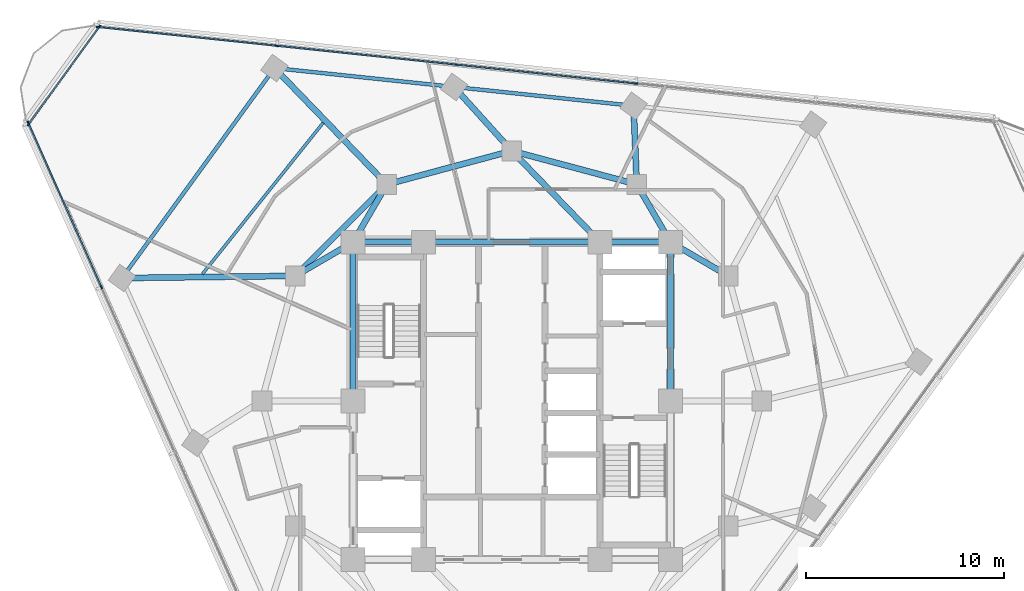
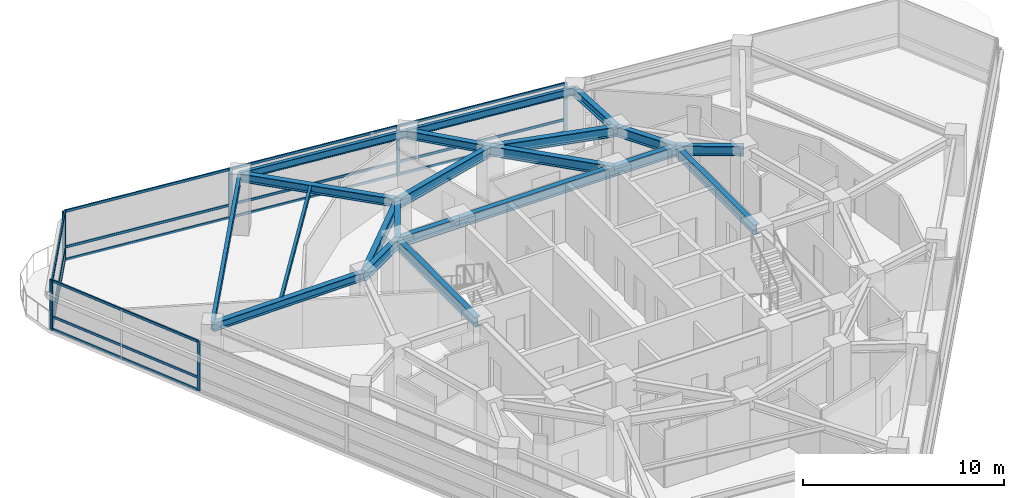
# One storey, part 5 of 15: 23 members, 21 beams, 3 elements without a shape of their own.
"""IFC4 building model written with IfcOpenShell, lengths in metres."""

from ifc_helpers import new_model, si_unit, direction, frame, origin, origin_2d, place, context, subcontext, project, spatial, rectangle, i_section, extrude, material, layer, layer_set, material_profile, profile_set, type_object, element, aggregate, save


model = new_model("IFC4")

# Units and contexts
model_context = context("Model", 3, precision=1e-05, world=origin(), true_north=direction((0.0, 1.0)))
body_context = subcontext(model_context, "Body", "Model", "MODEL_VIEW")
ifc_project = project(units=[si_unit("LENGTHUNIT", "METRE"), si_unit("AREAUNIT", "SQUARE_METRE"), si_unit("VOLUMEUNIT", "CUBIC_METRE"), si_unit("PLANEANGLEUNIT", "RADIAN"), si_unit("MASSUNIT", "GRAM", prefix="KILO")], contexts=[model_context])

# Site, building, storey
site_placement = place(None, origin())
site = spatial("IfcSite", under=ifc_project, at=site_placement, CompositionType="ELEMENT")
building_placement = place(site_placement, origin())
building = spatial("IfcBuilding", under=site, at=building_placement, Name="Terralouvre Media Tower", CompositionType="ELEMENT")
storey_placement = place(building_placement, frame((0.0, 0.0, 233.699951171875)))
storey = spatial("IfcBuildingStorey", under=building, at=storey_placement, Name="L60", CompositionType="ELEMENT", Elevation=233.699951171875)

# Beam
ifc_material_1 = material(Name="Structural steel S355J2", Category="steel")
ifc_material_profile_1 = material_profile(ifc_material_1, i_section(OverallWidth=0.14990234375, OverallDepth=0.300048828125, WebThickness=0.007080078125, FlangeThickness=0.0107421875, at=origin_2d()), Name="IPE 300")
ifc_profile_set_1 = profile_set([ifc_material_profile_1], Name="Structural steel S355J2")
beam_type_1 = type_object("IfcBeamType", Name="Composite Floor Joist J-IPE300 (IPE 300)", PredefinedType="JOIST", material=ifc_profile_set_1)
beam_1_placement = place(storey_placement, frame((-9.507568359375, 14.0205078125, 3.35009765625), z_axis=(-0.623938489158, -0.781473455561, 0.0), x_axis=(0.781473455561, -0.623938489158, 0.0)))
element("IfcBeam", 1, at=beam_1_placement, inside=storey, type_object=beam_type_1, Name="L60 Framing Beam JT-L60-05", PredefinedType="JOIST", context=body_context, shape_type="SweptSolid", body=[
    extrude(i_section(OverallWidth=0.14990234375, OverallDepth=0.300048828125, WebThickness=0.007080078125, FlangeThickness=0.0107421875, at=origin_2d()), origin(), (0.0, 0.0, 1.0), 9.763427734375),
])

# Curtain wall, members
ifc_material_2 = material(Name="Low-iron laminated double glazing with solar-control coating", Category="glass")
ifc_layer_1 = layer(ifc_material_2, 0.1650390625, Name="Upper Executive Tower Curtain Wall CW-05")
ifc_layer_set_1 = layer_set([ifc_layer_1], Name="Low-iron laminated double glazing with solar-control coating")
curtain_wall_type_1 = type_object("IfcCurtainWallType", Name="Upper Executive Tower Curtain Wall CW-05", PredefinedType="NOTDEFINED", material=ifc_layer_set_1)
curtain_wall_1_placement = place(storey_placement, origin())
curtain_wall_1 = element("IfcCurtainWall", 2, at=curtain_wall_1_placement, inside=storey, type_object=curtain_wall_type_1, Name="L60 Facade Curtain Wall F1", PredefinedType="NOTDEFINED")
ifc_material_3 = material(Name="Anodised extruded aluminium 6063-T6", Category="aluminium")
ifc_material_profile_2 = material_profile(ifc_material_3, rectangle(XDim=0.074951171875, YDim=0.14990234375, at=origin_2d()), Name="ALU 75x150")
ifc_profile_set_2 = profile_set([ifc_material_profile_2], Name="Anodised extruded aluminium 6063-T6")
member_type_1 = type_object("IfcMemberType", Name="Curtain-Wall Horizontal Transom TR-150", PredefinedType="USERDEFINED", material=ifc_profile_set_2)
member_1_placement = place(storey_placement, frame((6.21923828125, 16.002197265625, 0.03759765625), z_axis=(-0.994522041896, 0.104527069141, 0.0), x_axis=(-0.104527069141, -0.994522041896, 0.0)))
member_1 = element("IfcMember", 3, at=member_1_placement, type_object=member_type_1, Name="CW-05 transom 3.1", ObjectType="TRANSOM", PredefinedType="USERDEFINED", context=body_context, shape_type="SweptSolid", body=[
    extrude(rectangle(XDim=0.074951171875, YDim=0.14990234375, at=origin_2d()), origin(), (0.0, 0.0, 1.0), 9.025146484375),
])
member_2_placement = place(storey_placement, frame((6.21923828125, 16.002197265625, 0.800048828125), z_axis=(-0.994522041896, 0.104527069141, 0.0), x_axis=(-0.104527069141, -0.994522041896, 0.0)))
member_2 = element("IfcMember", 4, at=member_2_placement, type_object=member_type_1, Name="CW-05 transom 3.2", ObjectType="TRANSOM", PredefinedType="USERDEFINED", context=body_context, shape_type="SweptSolid", body=[
    extrude(rectangle(XDim=0.074951171875, YDim=0.14990234375, at=origin_2d()), origin(), (0.0, 0.0, 1.0), 9.025146484375),
])
member_3_placement = place(storey_placement, frame((6.21923828125, 16.002197265625, 2.962646484375), z_axis=(-0.994522041896, 0.104527069141, 0.0), x_axis=(-0.104527069141, -0.994522041896, 0.0)))
member_3 = element("IfcMember", 5, at=member_3_placement, type_object=member_type_1, Name="CW-05 transom 3.3", ObjectType="TRANSOM", PredefinedType="USERDEFINED", context=body_context, shape_type="SweptSolid", body=[
    extrude(rectangle(XDim=0.074951171875, YDim=0.14990234375, at=origin_2d()), origin(), (0.0, 0.0, 1.0), 9.025146484375),
])
member_4_placement = place(storey_placement, frame((-2.830810546875, 16.95361328125, 0.03759765625), z_axis=(-0.994522041896, 0.104527069141, 0.0), x_axis=(-0.104527069141, -0.994522041896, 0.0)))
member_4 = element("IfcMember", 6, at=member_4_placement, type_object=member_type_1, Name="CW-05 transom 4.1", ObjectType="TRANSOM", PredefinedType="USERDEFINED", context=body_context, shape_type="SweptSolid", body=[
    extrude(rectangle(XDim=0.074951171875, YDim=0.14990234375, at=origin_2d()), origin(), (0.0, 0.0, 1.0), 9.025146484375),
])
member_5_placement = place(storey_placement, frame((-2.830810546875, 16.95361328125, 0.800048828125), z_axis=(-0.994522041896, 0.104527069141, 0.0), x_axis=(-0.104527069141, -0.994522041896, 0.0)))
member_5 = element("IfcMember", 7, at=member_5_placement, type_object=member_type_1, Name="CW-05 transom 4.2", ObjectType="TRANSOM", PredefinedType="USERDEFINED", context=body_context, shape_type="SweptSolid", body=[
    extrude(rectangle(XDim=0.074951171875, YDim=0.14990234375, at=origin_2d()), origin(), (0.0, 0.0, 1.0), 9.025146484375),
])
member_6_placement = place(storey_placement, frame((-2.830810546875, 16.95361328125, 2.962646484375), z_axis=(-0.994522041896, 0.104527069141, 0.0), x_axis=(-0.104527069141, -0.994522041896, 0.0)))
member_6 = element("IfcMember", 8, at=member_6_placement, type_object=member_type_1, Name="CW-05 transom 4.3", ObjectType="TRANSOM", PredefinedType="USERDEFINED", context=body_context, shape_type="SweptSolid", body=[
    extrude(rectangle(XDim=0.074951171875, YDim=0.14990234375, at=origin_2d()), origin(), (0.0, 0.0, 1.0), 9.025146484375),
])
member_7_placement = place(storey_placement, frame((-11.881103515625, 17.90478515625, 0.03759765625), z_axis=(-0.994521813919, 0.104529238206, 0.0), x_axis=(-0.104529238206, -0.994521813919, 0.0)))
member_7 = element("IfcMember", 9, at=member_7_placement, type_object=member_type_1, Name="CW-05 transom 5.1", ObjectType="TRANSOM", PredefinedType="USERDEFINED", context=body_context, shape_type="SweptSolid", body=[
    extrude(rectangle(XDim=0.074951171875, YDim=0.14990234375, at=origin_2d()), origin(), (0.0, 0.0, 1.0), 8.987548828125),
])
member_8_placement = place(storey_placement, frame((-11.881103515625, 17.90478515625, 0.800048828125), z_axis=(-0.994521813919, 0.104529238206, 0.0), x_axis=(-0.104529238206, -0.994521813919, 0.0)))
member_8 = element("IfcMember", 10, at=member_8_placement, type_object=member_type_1, Name="CW-05 transom 5.2", ObjectType="TRANSOM", PredefinedType="USERDEFINED", context=body_context, shape_type="SweptSolid", body=[
    extrude(rectangle(XDim=0.074951171875, YDim=0.14990234375, at=origin_2d()), origin(), (0.0, 0.0, 1.0), 8.987548828125),
])
member_9_placement = place(storey_placement, frame((-11.881103515625, 17.90478515625, 2.962646484375), z_axis=(-0.994521813919, 0.104529238206, 0.0), x_axis=(-0.104529238206, -0.994521813919, 0.0)))
member_9 = element("IfcMember", 11, at=member_9_placement, type_object=member_type_1, Name="CW-05 transom 5.3", ObjectType="TRANSOM", PredefinedType="USERDEFINED", context=body_context, shape_type="SweptSolid", body=[
    extrude(rectangle(XDim=0.074951171875, YDim=0.14990234375, at=origin_2d()), origin(), (0.0, 0.0, 1.0), 8.987548828125),
])

curtain_wall_2_placement = place(storey_placement, origin())
curtain_wall_2 = element("IfcCurtainWall", 12, at=curtain_wall_2_placement, inside=storey, type_object=curtain_wall_type_1, Name="L60 Facade Curtain Wall F2", PredefinedType="NOTDEFINED")
member_10_placement = place(storey_placement, frame((-24.35546875, 13.97705078125, 0.03759765625), z_axis=(0.406758390963, -0.913535774549, 0.0), x_axis=(0.913535774549, 0.406758390963, 0.0)))
member_10 = element("IfcMember", 13, at=member_10_placement, type_object=member_type_1, Name="CW-05 transom 1.1", ObjectType="TRANSOM", PredefinedType="USERDEFINED", context=body_context, shape_type="SweptSolid", body=[
    extrude(rectangle(XDim=0.074951171875, YDim=0.14990234375, at=origin_2d()), origin(), (0.0, 0.0, 1.0), 8.987548828125),
])
member_11_placement = place(storey_placement, frame((-24.35546875, 13.97705078125, 0.800048828125), z_axis=(0.406758390963, -0.913535774549, 0.0), x_axis=(0.913535774549, 0.406758390963, 0.0)))
member_11 = element("IfcMember", 14, at=member_11_placement, type_object=member_type_1, Name="CW-05 transom 1.2", ObjectType="TRANSOM", PredefinedType="USERDEFINED", context=body_context, shape_type="SweptSolid", body=[
    extrude(rectangle(XDim=0.074951171875, YDim=0.14990234375, at=origin_2d()), origin(), (0.0, 0.0, 1.0), 8.987548828125),
])
member_12_placement = place(storey_placement, frame((-24.35546875, 13.97705078125, 2.962646484375), z_axis=(0.406758390963, -0.913535774549, 0.0), x_axis=(0.913535774549, 0.406758390963, 0.0)))
member_12 = element("IfcMember", 15, at=member_12_placement, type_object=member_type_1, Name="CW-05 transom 1.3", ObjectType="TRANSOM", PredefinedType="USERDEFINED", context=body_context, shape_type="SweptSolid", body=[
    extrude(rectangle(XDim=0.074951171875, YDim=0.14990234375, at=origin_2d()), origin(), (0.0, 0.0, 1.0), 8.987548828125),
])

ifc_material_4 = material(Name="Low-iron laminated double glazing with solar-control coating", Category="glass")
ifc_layer_2 = layer(ifc_material_4, 0.1650390625, Name="Rounded Wind-Corner Curved Glazing CW-04")
ifc_layer_set_2 = layer_set([ifc_layer_2], Name="Low-iron laminated double glazing with solar-control coating")
curtain_wall_type_2 = type_object("IfcCurtainWallType", Name="Rounded Wind-Corner Curved Glazing CW-04", PredefinedType="NOTDEFINED", material=ifc_layer_set_2)
curtain_wall_3_placement = place(storey_placement, origin())
curtain_wall_3 = element("IfcCurtainWall", 16, at=curtain_wall_3_placement, inside=storey, type_object=curtain_wall_type_2, Name="L60 Rounded Wind-Corner Curtain Wall C2", PredefinedType="NOTDEFINED")
member_13_placement = place(storey_placement, frame((-20.812255859375, 18.828369140625, 0.03759765625), z_axis=(-0.58777959511, -0.809021104528, 0.0), x_axis=(0.809021104528, -0.58777959511, 0.0)))
member_13 = element("IfcMember", 17, at=member_13_placement, type_object=member_type_1, Name="CW-04 transom 1.1", ObjectType="TRANSOM", PredefinedType="USERDEFINED", context=body_context, shape_type="SweptSolid", body=[
    extrude(rectangle(XDim=0.074951171875, YDim=0.14990234375, at=origin_2d()), origin(), (0.0, 0.0, 1.0), 5.99853515625),
])
member_14_placement = place(storey_placement, frame((-20.812255859375, 18.828369140625, 0.800048828125), z_axis=(-0.58777959511, -0.809021104528, 0.0), x_axis=(0.809021104528, -0.58777959511, 0.0)))
member_14 = element("IfcMember", 18, at=member_14_placement, type_object=member_type_1, Name="CW-04 transom 1.2", ObjectType="TRANSOM", PredefinedType="USERDEFINED", context=body_context, shape_type="SweptSolid", body=[
    extrude(rectangle(XDim=0.074951171875, YDim=0.14990234375, at=origin_2d()), origin(), (0.0, 0.0, 1.0), 5.99853515625),
])
member_15_placement = place(storey_placement, frame((-20.812255859375, 18.828369140625, 2.962646484375), z_axis=(-0.58777959511, -0.809021104528, 0.0), x_axis=(0.809021104528, -0.58777959511, 0.0)))
member_15 = element("IfcMember", 19, at=member_15_placement, type_object=member_type_1, Name="CW-04 transom 1.3", ObjectType="TRANSOM", PredefinedType="USERDEFINED", context=body_context, shape_type="SweptSolid", body=[
    extrude(rectangle(XDim=0.074951171875, YDim=0.14990234375, at=origin_2d()), origin(), (0.0, 0.0, 1.0), 5.99853515625),
])

# Member
ifc_material_5 = material(Name="Anodised extruded aluminium 6063-T6", Category="aluminium")
ifc_material_profile_3 = material_profile(ifc_material_5, rectangle(XDim=0.074951171875, YDim=0.179931640625, at=origin_2d()), Name="ALU 75x180")
ifc_profile_set_3 = profile_set([ifc_material_profile_3], Name="Anodised extruded aluminium 6063-T6")
member_type_2 = type_object("IfcMemberType", Name="Curtain-Wall Vertical Mullion ML-180", PredefinedType="MULLION", material=ifc_profile_set_3)
member_16_placement = place(storey_placement, frame((6.256591796875, 15.998291015625, 0.0), z_axis=(0.0, 0.0, 1.0), x_axis=(-0.104528561651, -0.994521885028, 0.0)))
member_16 = element("IfcMember", 20, at=member_16_placement, type_object=member_type_2, Name="CW-05 mullion 3", PredefinedType="MULLION", context=body_context, shape_type="SweptSolid", body=[
    extrude(rectangle(XDim=0.074951171875, YDim=0.179931640625, at=origin_2d()), origin(), (0.0, 0.0, 1.0), 3.0),
])

member_17_placement = place(storey_placement, frame((-2.793701171875, 16.949462890625, 0.0), z_axis=(0.0, 0.0, 1.0), x_axis=(-0.104528561651, -0.994521885028, 0.0)))
member_17 = element("IfcMember", 21, at=member_17_placement, type_object=member_type_2, Name="CW-05 mullion 4", PredefinedType="MULLION", context=body_context, shape_type="SweptSolid", body=[
    extrude(rectangle(XDim=0.074951171875, YDim=0.179931640625, at=origin_2d()), origin(), (0.0, 0.0, 1.0), 3.0),
])

member_18_placement = place(storey_placement, frame((-11.84375, 17.90087890625, 0.0), z_axis=(0.0, 0.0, 1.0), x_axis=(-0.104528561651, -0.994521885028, 0.0)))
member_18 = element("IfcMember", 22, at=member_18_placement, type_object=member_type_2, Name="CW-05 mullion 5", PredefinedType="MULLION", context=body_context, shape_type="SweptSolid", body=[
    extrude(rectangle(XDim=0.074951171875, YDim=0.179931640625, at=origin_2d()), origin(), (0.0, 0.0, 1.0), 3.0),
])

member_19_placement = place(storey_placement, frame((-20.856689453125, 18.84814453125, 0.0), z_axis=(0.0, 0.0, 1.0), x_axis=(-0.104528561651, -0.994521885028, 0.0)))
member_19 = element("IfcMember", 23, at=member_19_placement, type_object=member_type_2, Name="CW-05 mullion 6", PredefinedType="MULLION", context=body_context, shape_type="SweptSolid", body=[
    extrude(rectangle(XDim=0.074951171875, YDim=0.179931640625, at=origin_2d()), origin(), (0.0, 0.0, 1.0), 3.0),
])

aggregate(curtain_wall_1, [member_16, member_17, member_18, member_19, member_1, member_2, member_3, member_4, member_5, member_6, member_7, member_8, member_9])

member_20_placement = place(storey_placement, frame((-24.37060546875, 14.011474609375, 0.0), z_axis=(0.0, 0.0, 1.0), x_axis=(0.913545441365, 0.406736679636, 0.0)))
member_20 = element("IfcMember", 24, at=member_20_placement, type_object=member_type_2, Name="CW-05 mullion 1", PredefinedType="MULLION", context=body_context, shape_type="SweptSolid", body=[
    extrude(rectangle(XDim=0.074951171875, YDim=0.179931640625, at=origin_2d()), origin(), (0.0, 0.0, 1.0), 3.0),
])

member_21_placement = place(storey_placement, frame((-20.6845703125, 5.732421875, 0.0), z_axis=(0.0, 0.0, 1.0), x_axis=(0.913545441365, 0.406736679636, 0.0)))
member_21 = element("IfcMember", 25, at=member_21_placement, type_object=member_type_2, Name="CW-05 mullion 2", PredefinedType="MULLION", context=body_context, shape_type="SweptSolid", body=[
    extrude(rectangle(XDim=0.074951171875, YDim=0.179931640625, at=origin_2d()), origin(), (0.0, 0.0, 1.0), 3.0),
])

aggregate(curtain_wall_2, [member_20, member_21, member_10, member_11, member_12])

member_22_placement = place(storey_placement, frame((-20.7900390625, 18.858642578125, 0.0), z_axis=(0.0, 0.0, 1.0), x_axis=(0.809016531067, -0.58778588998, 0.0)))
member_22 = element("IfcMember", 26, at=member_22_placement, type_object=member_type_2, Name="CW-04 mullion 1", PredefinedType="MULLION", context=body_context, shape_type="SweptSolid", body=[
    extrude(rectangle(XDim=0.074951171875, YDim=0.179931640625, at=origin_2d()), origin(), (0.0, 0.0, 1.0), 3.0),
])

member_23_placement = place(storey_placement, frame((-24.360107421875, 13.94482421875, 0.0), z_axis=(0.0, 0.0, 1.0), x_axis=(0.809016531067, -0.58778588998, 0.0)))
member_23 = element("IfcMember", 27, at=member_23_placement, type_object=member_type_2, Name="CW-04 mullion 2", PredefinedType="MULLION", context=body_context, shape_type="SweptSolid", body=[
    extrude(rectangle(XDim=0.074951171875, YDim=0.179931640625, at=origin_2d()), origin(), (0.0, 0.0, 1.0), 3.0),
])

aggregate(curtain_wall_3, [member_22, member_23, member_13, member_14, member_15])

# Beams
ifc_material_6 = material(Name="Structural steel S355J2", Category="steel")
ifc_material_profile_4 = material_profile(ifc_material_6, i_section(OverallWidth=0.18994140625, OverallDepth=0.449951171875, WebThickness=0.009521484375, FlangeThickness=0.0146484375, at=origin_2d()), Name="IPE 450")
ifc_profile_set_4 = profile_set([ifc_material_profile_4], Name="Structural steel S355J2")
beam_type_2 = type_object("IfcBeamType", Name="Perimeter Spandrel Beam SPB-450 (IPE 450)", PredefinedType="SPANDREL", material=ifc_profile_set_4)
beam_2_placement = place(storey_placement, frame((6.138427734375, 14.87451171875, 3.275146484375), z_axis=(-0.994522199081, 0.104525573596, 0.0), x_axis=(-0.104525573596, -0.994522199081, 0.0)))
element("IfcBeam", 28, at=beam_2_placement, inside=storey, type_object=beam_type_2, Name="L60 Framing Beam BM-L60-PR09", PredefinedType="SPANDREL", context=body_context, shape_type="SweptSolid", body=[
    extrude(i_section(OverallWidth=0.18994140625, OverallDepth=0.449951171875, WebThickness=0.009521484375, FlangeThickness=0.0146484375, at=origin_2d()), origin(), (0.0, 0.0, 1.0), 9.099853515625),
])
beam_3_placement = place(storey_placement, frame((-2.91162109375, 15.82568359375, 3.275146484375), z_axis=(-0.994522492191, 0.10452278472, 0.0), x_axis=(-0.10452278472, -0.994522492191, 0.0)))
element("IfcBeam", 29, at=beam_3_placement, inside=storey, type_object=beam_type_2, Name="L60 Framing Beam BM-L60-PR10", PredefinedType="SPANDREL", context=body_context, shape_type="SweptSolid", body=[
    extrude(i_section(OverallWidth=0.18994140625, OverallDepth=0.449951171875, WebThickness=0.009521484375, FlangeThickness=0.0146484375, at=origin_2d()), origin(), (0.0, 0.0, 1.0), 9.10009765625),
])
beam_4_placement = place(storey_placement, frame((-11.9619140625, 16.77685546875, 3.275146484375), z_axis=(-0.587794396272, -0.809010350806, 0.0), x_axis=(0.809010350806, -0.587794396272, 0.0)))
element("IfcBeam", 30, at=beam_4_placement, inside=storey, type_object=beam_type_2, Name="L60 Framing Beam BM-L60-PR11", PredefinedType="SPANDREL", context=body_context, shape_type="SweptSolid", body=[
    extrude(i_section(OverallWidth=0.18994140625, OverallDepth=0.449951171875, WebThickness=0.009521484375, FlangeThickness=0.0146484375, at=origin_2d()), origin(), (0.0, 0.0, 1.0), 13.08349609375),
])
ifc_material_7 = material(Name="Structural steel S355J2", Category="steel")
ifc_material_profile_5 = material_profile(ifc_material_7, i_section(OverallWidth=0.300048828125, OverallDepth=0.5, WebThickness=0.014404296875, FlangeThickness=0.028076171875, at=origin_2d()), Name="HEB 500")
ifc_profile_set_5 = profile_set([ifc_material_profile_5], Name="Structural steel S355J2")
beam_type_3 = type_object("IfcBeamType", Name="Primary Floor Girder B-HEB500 (HEB 500)", PredefinedType="BEAM", material=ifc_profile_set_5)
beam_5_placement = place(storey_placement, frame((6.300048828125, 10.911865234375, 3.25), z_axis=(-0.040752268141, 0.999169281274, 0.0), x_axis=(-0.999169281274, -0.040752268141, 0.0)))
element("IfcBeam", 31, at=beam_5_placement, inside=storey, type_object=beam_type_3, Name="L60 Framing Beam BM-L60-RD09", PredefinedType="BEAM", context=body_context, shape_type="SweptSolid", body=[
    extrude(i_section(OverallWidth=0.300048828125, OverallDepth=0.5, WebThickness=0.014404296875, FlangeThickness=0.028076171875, at=origin_2d()), origin(), (0.0, 0.0, 1.0), 3.9658203125),
])
beam_6_placement = place(storey_placement, frame((0.0, 12.60009765625, 3.25), z_axis=(-0.670056658177, 0.742309958732, 0.0), x_axis=(-0.742309958732, -0.670056658177, 0.0)))
element("IfcBeam", 32, at=beam_6_placement, inside=storey, type_object=beam_type_3, Name="L60 Framing Beam BM-L60-RD10", PredefinedType="BEAM", context=body_context, shape_type="SweptSolid", body=[
    extrude(i_section(OverallWidth=0.300048828125, OverallDepth=0.5, WebThickness=0.014404296875, FlangeThickness=0.028076171875, at=origin_2d()), origin(), (0.0, 0.0, 1.0), 4.34521484375),
])
beam_7_placement = place(storey_placement, frame((-6.300048828125, 10.911865234375, 3.25), z_axis=(-0.694538392484, 0.719455642389, 0.0), x_axis=(-0.719455642389, -0.694538392484, 0.0)))
element("IfcBeam", 33, at=beam_7_placement, inside=storey, type_object=beam_type_3, Name="L60 Framing Beam BM-L60-RD11", PredefinedType="BEAM", context=body_context, shape_type="SweptSolid", body=[
    extrude(i_section(OverallWidth=0.300048828125, OverallDepth=0.5, WebThickness=0.014404296875, FlangeThickness=0.028076171875, at=origin_2d()), origin(), (0.0, 0.0, 1.0), 8.152099609375),
])
beam_8_placement = place(storey_placement, frame((-10.911865234375, 6.300048828125, 3.25), z_axis=(-0.999923796559, -0.012345083045, 0.0), x_axis=(0.012345083045, -0.999923796559, 0.0)))
element("IfcBeam", 34, at=beam_8_placement, inside=storey, type_object=beam_type_3, Name="L60 Framing Beam BM-L60-RD12", PredefinedType="BEAM", context=body_context, shape_type="SweptSolid", body=[
    extrude(i_section(OverallWidth=0.300048828125, OverallDepth=0.5, WebThickness=0.014404296875, FlangeThickness=0.028076171875, at=origin_2d()), origin(), (0.0, 0.0, 1.0), 8.7412109375),
])
ifc_material_8 = material(Name="Structural steel S460M", Category="steel")
ifc_material_profile_6 = material_profile(ifc_material_8, i_section(OverallWidth=0.300048828125, OverallDepth=0.60009765625, WebThickness=0.015380859375, FlangeThickness=0.030029296875, at=origin_2d()), Name="HEB 600")
ifc_profile_set_6 = profile_set([ifc_material_profile_6], Name="Structural steel S460M")
beam_type_4 = type_object("IfcBeamType", Name="Primary Floor Girder B-HEB600 (HEB 600)", PredefinedType="BEAM", material=ifc_profile_set_6)
beam_9_placement = place(storey_placement, frame((8.0, 0.0, 3.199951171875), z_axis=(0.0, 1.0, 0.0), x_axis=(-1.0, 0.0, 0.0)))
element("IfcBeam", 35, at=beam_9_placement, inside=storey, type_object=beam_type_4, Name="L60 Framing Beam BM-L60-CPR05", PredefinedType="BEAM", context=body_context, shape_type="SweptSolid", body=[
    extrude(i_section(OverallWidth=0.300048828125, OverallDepth=0.60009765625, WebThickness=0.015380859375, FlangeThickness=0.030029296875, at=origin_2d()), origin(), (0.0, 0.0, 1.0), 8.0),
])
beam_10_placement = place(storey_placement, frame((8.0, 8.0, 3.199951171875), z_axis=(-1.0, 0.0, 0.0), x_axis=(0.0, -1.0, 0.0)))
element("IfcBeam", 36, at=beam_10_placement, inside=storey, type_object=beam_type_4, Name="L60 Framing Beam BM-L60-CPR06", PredefinedType="BEAM", context=body_context, shape_type="SweptSolid", body=[
    extrude(i_section(OverallWidth=0.300048828125, OverallDepth=0.60009765625, WebThickness=0.015380859375, FlangeThickness=0.030029296875, at=origin_2d()), origin(), (0.0, 0.0, 1.0), 3.550048828125),
])
beam_11_placement = place(storey_placement, frame((4.449951171875, 8.0, 3.199951171875), z_axis=(-1.0, 0.0, 0.0), x_axis=(0.0, -1.0, 0.0)))
element("IfcBeam", 37, at=beam_11_placement, inside=storey, type_object=beam_type_4, Name="L60 Framing Beam BM-L60-CPR07", PredefinedType="BEAM", context=body_context, shape_type="SweptSolid", body=[
    extrude(i_section(OverallWidth=0.300048828125, OverallDepth=0.60009765625, WebThickness=0.015380859375, FlangeThickness=0.030029296875, at=origin_2d()), origin(), (0.0, 0.0, 1.0), 8.89990234375),
])
beam_12_placement = place(storey_placement, frame((-4.449951171875, 8.0, 3.199951171875), z_axis=(-1.0, 0.0, 0.0), x_axis=(0.0, -1.0, 0.0)))
element("IfcBeam", 38, at=beam_12_placement, inside=storey, type_object=beam_type_4, Name="L60 Framing Beam BM-L60-CPR08", PredefinedType="BEAM", context=body_context, shape_type="SweptSolid", body=[
    extrude(i_section(OverallWidth=0.300048828125, OverallDepth=0.60009765625, WebThickness=0.015380859375, FlangeThickness=0.030029296875, at=origin_2d()), origin(), (0.0, 0.0, 1.0), 3.550048828125),
])
beam_13_placement = place(storey_placement, frame((-8.0, 8.0, 3.199951171875), z_axis=(0.0, -1.0, 0.0), x_axis=(1.0, 0.0, 0.0)))
element("IfcBeam", 39, at=beam_13_placement, inside=storey, type_object=beam_type_4, Name="L60 Framing Beam BM-L60-CPR09", PredefinedType="BEAM", context=body_context, shape_type="SweptSolid", body=[
    extrude(i_section(OverallWidth=0.300048828125, OverallDepth=0.60009765625, WebThickness=0.015380859375, FlangeThickness=0.030029296875, at=origin_2d()), origin(), (0.0, 0.0, 1.0), 8.0),
])
for number, where, z_axis, x_axis, name in (
    (40, (6.300048828125, 10.911865234375, 3.199951171875), (-0.965920481897, 0.258838989821, 0.0), (-0.258838989821, -0.965920481897, 0.0), "L60 Framing Beam BM-L60-MR08"),
    (41, (0.0, 12.60009765625, 3.199951171875), (-0.965920481897, -0.258838989821, 0.0), (0.258838989821, -0.965920481897, 0.0), "L60 Framing Beam BM-L60-MR09"),
):
    element("IfcBeam", number, at=place(storey_placement, frame(where, z_axis=z_axis, x_axis=x_axis)), inside=storey, type_object=beam_type_4, Name=name, PredefinedType="BEAM", context=body_context, shape_type="SweptSolid", body=[
        extrude(i_section(OverallWidth=0.300048828125, OverallDepth=0.60009765625, WebThickness=0.015380859375, FlangeThickness=0.030029296875, at=origin_2d()), origin(), (0.0, 0.0, 1.0), 6.522216796875),
    ])
beam_14_placement = place(storey_placement, frame((-6.300048828125, 10.911865234375, 3.199951171875), z_axis=(-0.707106781187, -0.707106781187, 0.0), x_axis=(0.707106781187, -0.707106781187, 0.0)))
element("IfcBeam", 42, at=beam_14_placement, inside=storey, type_object=beam_type_4, Name="L60 Framing Beam BM-L60-MR10", PredefinedType="BEAM", context=body_context, shape_type="SweptSolid", body=[
    extrude(i_section(OverallWidth=0.300048828125, OverallDepth=0.60009765625, WebThickness=0.015380859375, FlangeThickness=0.030029296875, at=origin_2d()), origin(), (0.0, 0.0, 1.0), 6.52197265625),
])
for number, where, z_axis, x_axis, name in (
    (43, (8.0, 8.0, 3.199951171875), (0.863602894532, -0.504172629717, 0.0), (0.504172629717, 0.863602894532, 0.0), "L60 Framing Beam BM-L60-CM07"),
    (44, (8.0, 8.0, 3.199951171875), (-0.504172629717, 0.863602894532, 0.0), (-0.863602894532, -0.504172629717, 0.0), "L60 Framing Beam BM-L60-CM08"),
):
    element("IfcBeam", number, at=place(storey_placement, frame(where, z_axis=z_axis, x_axis=x_axis)), inside=storey, type_object=beam_type_4, Name=name, PredefinedType="BEAM", context=body_context, shape_type="SweptSolid", body=[
        extrude(i_section(OverallWidth=0.300048828125, OverallDepth=0.60009765625, WebThickness=0.015380859375, FlangeThickness=0.030029296875, at=origin_2d()), origin(), (0.0, 0.0, 1.0), 3.371826171875),
    ])
beam_15_placement = place(storey_placement, frame((4.449951171875, 8.0, 3.199951171875), z_axis=(-0.695279715726, 0.718739255155, 0.0), x_axis=(-0.718739255155, -0.695279715726, 0.0)))
element("IfcBeam", 45, at=beam_15_placement, inside=storey, type_object=beam_type_4, Name="L60 Framing Beam BM-L60-CM09", PredefinedType="BEAM", context=body_context, shape_type="SweptSolid", body=[
    extrude(i_section(OverallWidth=0.300048828125, OverallDepth=0.60009765625, WebThickness=0.015380859375, FlangeThickness=0.030029296875, at=origin_2d()), origin(), (0.0, 0.0, 1.0), 6.400146484375),
])
for number, where, z_axis, x_axis, name in (
    (46, (-8.0, 8.0, 3.199951171875), (0.504172629717, 0.863602894532, 0.0), (-0.863602894532, 0.504172629717, 0.0), "L60 Framing Beam BM-L60-CM10"),
    (47, (-8.0, 8.0, 3.199951171875), (-0.863602894532, -0.504172629717, 0.0), (0.504172629717, -0.863602894532, 0.0), "L60 Framing Beam BM-L60-CM11"),
):
    element("IfcBeam", number, at=place(storey_placement, frame(where, z_axis=z_axis, x_axis=x_axis)), inside=storey, type_object=beam_type_4, Name=name, PredefinedType="BEAM", context=body_context, shape_type="SweptSolid", body=[
        extrude(i_section(OverallWidth=0.300048828125, OverallDepth=0.60009765625, WebThickness=0.015380859375, FlangeThickness=0.030029296875, at=origin_2d()), origin(), (0.0, 0.0, 1.0), 3.371826171875),
    ])

save(model, "model.ifc")
